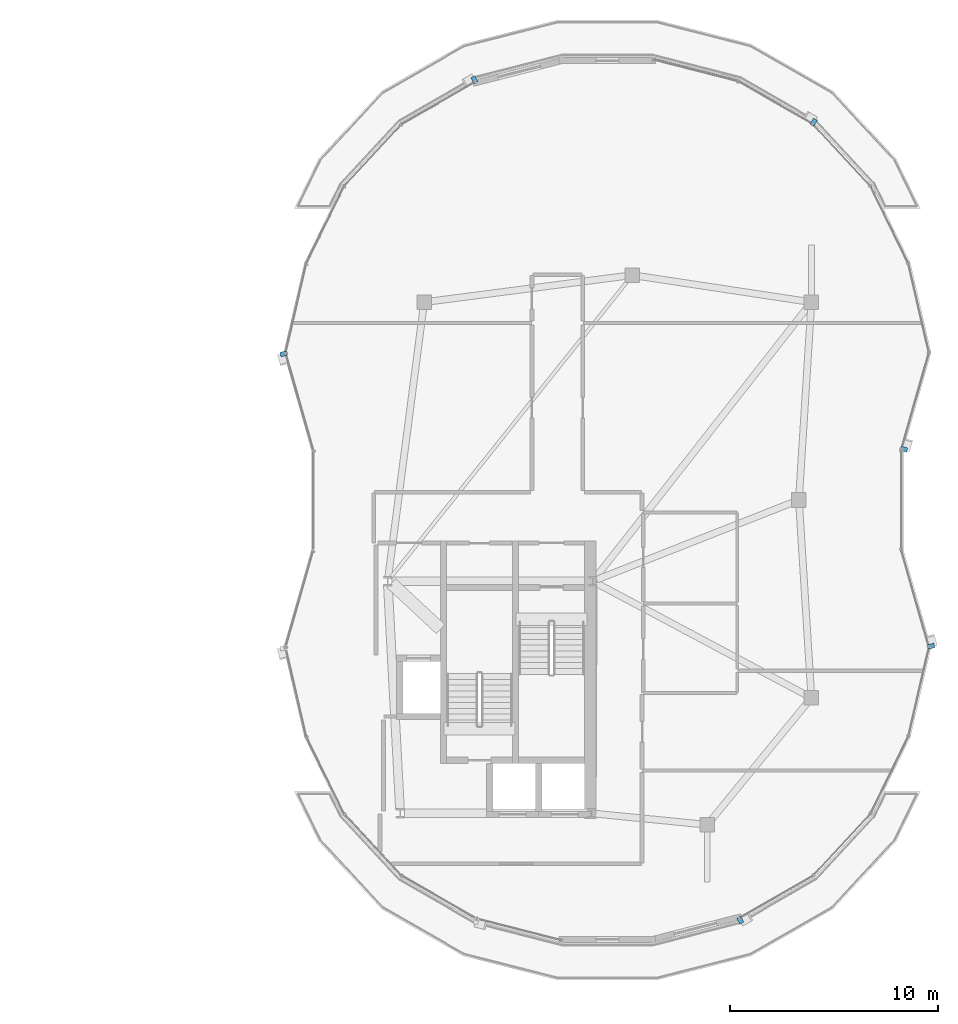
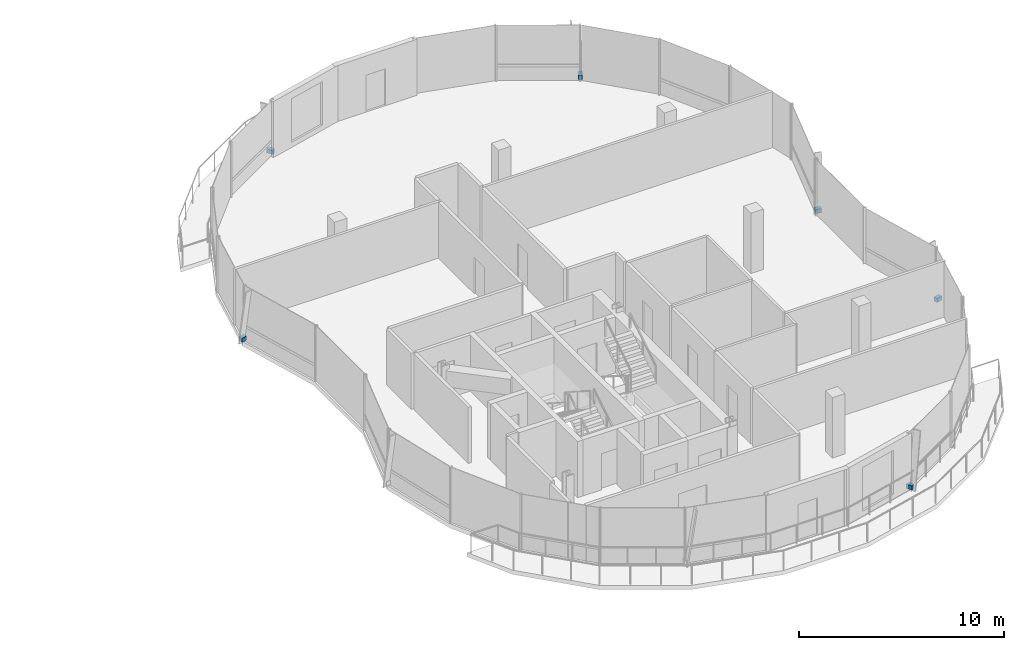
# One storey, part 16 of 20: 6 discrete accessories.
"""IFC4 building model written with IfcOpenShell, lengths in metres."""

from ifc_helpers import new_model, si_unit, direction, frame, origin, origin_2d, place, context, subcontext, project, spatial, rectangle, extrude, material, type_object, element, save


model = new_model("IFC4")

# Units and contexts
model_context = context("Model", 3, precision=1e-05, world=origin(), true_north=direction((0.0, 1.0)))
body_context = subcontext(model_context, "Body", "Model", "MODEL_VIEW")
ifc_project = project(units=[si_unit("LENGTHUNIT", "METRE"), si_unit("AREAUNIT", "SQUARE_METRE"), si_unit("VOLUMEUNIT", "CUBIC_METRE"), si_unit("PLANEANGLEUNIT", "RADIAN"), si_unit("MASSUNIT", "GRAM", prefix="KILO"), si_unit("THERMODYNAMICTEMPERATUREUNIT", "KELVIN"), si_unit("POWERUNIT", "WATT")], contexts=[model_context])

# Site, building, storey
site_placement = place(None, origin())
site = spatial("IfcSite", under=ifc_project, at=site_placement, CompositionType="ELEMENT")
building_placement = place(site_placement, origin())
building = spatial("IfcBuilding", under=site, at=building_placement, Name="Cundina Bronze Exchange", CompositionType="ELEMENT")
storey_placement = place(building_placement, frame((0.0, 0.0, 279.199951171875)))
storey = spatial("IfcBuildingStorey", under=building, at=storey_placement, Name="L74", CompositionType="ELEMENT", Elevation=279.199951171875)

# Discrete accessories
ifc_material = material(Name="Anodised Bronze Aluminium 6063-T6", Category="aluminium")
discrete_accessory_type = type_object("IfcDiscreteAccessoryType", Name="ACC-BRK-FIN", PredefinedType="BRACKET", material=ifc_material)
for number, where, z_axis, x_axis, name in (
    (1, (46.2421875, 2.43701171875, 0.10009765625), (0.0, 0.0, 1.0), (0.274563444462, 0.961568986067, 0.0), "L74 Fin Support Bracket 1"),
    (2, (41.91455078125, 18.1513671875, 0.10009765625), (0.0, 0.0, 1.0), (-0.866452692699, 0.499259182503, 0.0), "L74 Fin Support Bracket 5"),
    (3, (25.614501953125, 20.184814453125, 0.10009765625), (0.0, 0.0, 1.0), (-0.866452692699, -0.499259182503, 0.0), "L74 Fin Support Bracket 1"),
    (4, (16.44873046875, 7.021484375, 0.10009765625), (0.0, 0.0, 1.0), (0.274563444462, -0.961568986067, 0.0), "L74 Fin Support Bracket 5"),
    (5, (38.385498046875, -20.184814453125, 0.10009765625), (0.0, 0.0, 1.0), (0.866452692699, 0.499259182503, 0.0), "L74 Fin Support Bracket 1"),
    (6, (47.55126953125, -7.021484375, 0.10009765625), (0.0, 0.0, 1.0), (-0.274563444462, 0.961568986067, 0.0), "L74 Fin Support Bracket 5"),
):
    element("IfcDiscreteAccessory", number, at=place(storey_placement, frame(where, z_axis=z_axis, x_axis=x_axis)), inside=storey, type_object=discrete_accessory_type, Name=name, PredefinedType="BRACKET", context=body_context, shape_type="SweptSolid", body=[
        extrude(rectangle(XDim=0.219970703125, YDim=0.320068359375, at=origin_2d()), origin(), (0.0, 0.0, 1.0), 0.239990234375),
    ])

save(model, "model.ifc")
